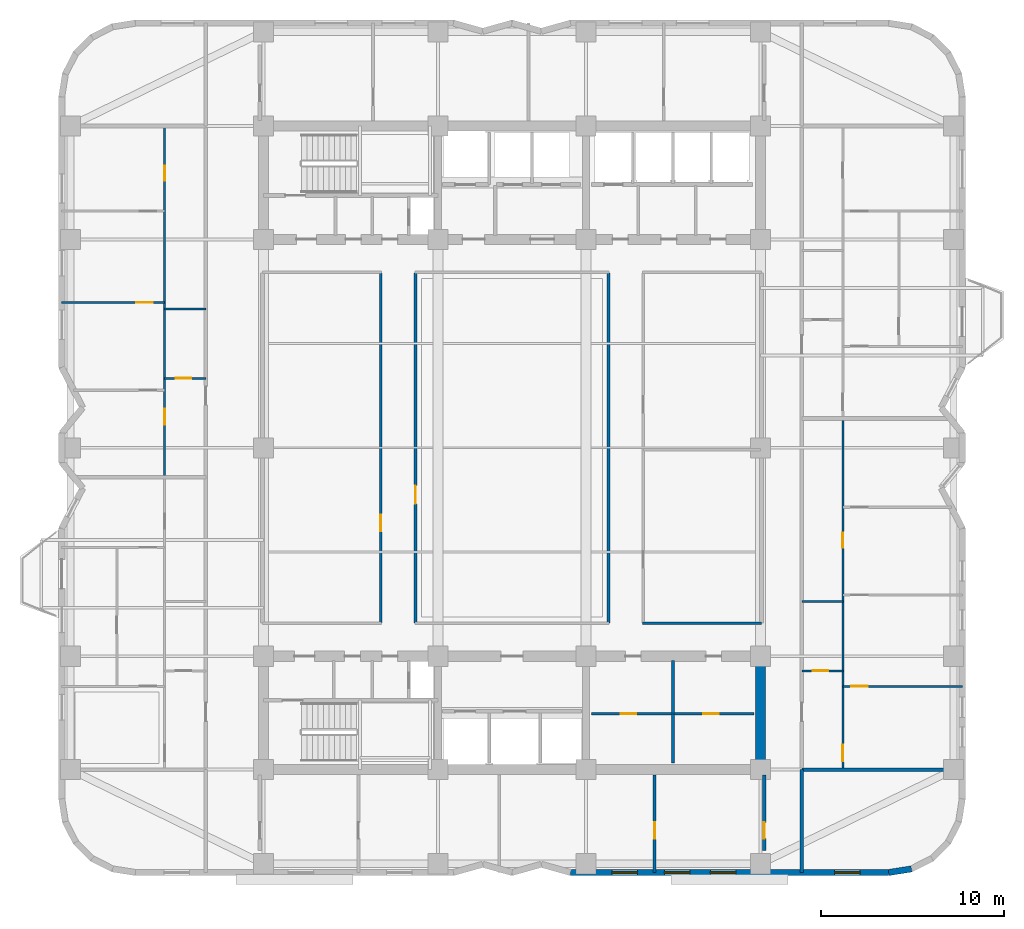
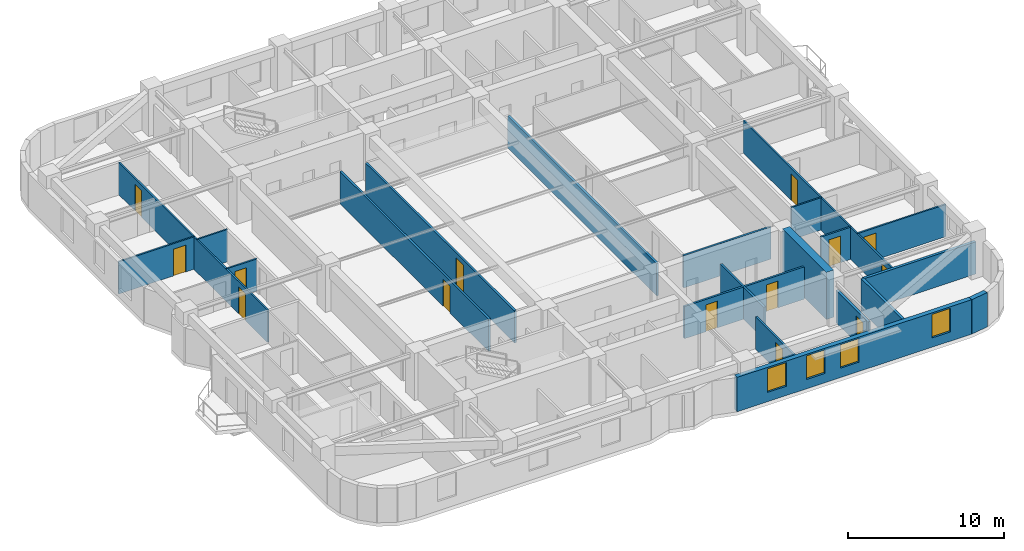
# One storey, part 4 of 10: 22 walls, 14 doors, 4 windows, 18 openings.
"""IFC4 building model written with IfcOpenShell, lengths in metres."""

from ifc_helpers import new_model, si_unit, direction, frame, frame_2d, origin, place, context, subcontext, project, spatial, rectangle, extrude, material, layer, layer_set, type_object, element, fill, save


model = new_model("IFC4")

# Units and contexts
model_context = context("Model", 3, precision=1e-05, world=origin(), true_north=direction((0.0, 1.0)))
body_context = subcontext(model_context, "Body", "Model", "MODEL_VIEW")
ifc_project = project(units=[si_unit("LENGTHUNIT", "METRE"), si_unit("AREAUNIT", "SQUARE_METRE"), si_unit("VOLUMEUNIT", "CUBIC_METRE"), si_unit("PLANEANGLEUNIT", "RADIAN"), si_unit("MASSUNIT", "GRAM", prefix="KILO")], contexts=[model_context])

# Site, building, storey
site_placement = place(None, origin())
site = spatial("IfcSite", under=ifc_project, at=site_placement, CompositionType="ELEMENT")
building_placement = place(site_placement, origin())
building = spatial("IfcBuilding", under=site, at=building_placement, Name="Svetorya Sky Lyceum", CompositionType="ELEMENT")
storey_placement = place(building_placement, frame((0.0, 0.0, 129.0)))
storey = spatial("IfcBuildingStorey", under=building, at=storey_placement, Name="L32", CompositionType="ELEMENT", Elevation=129.0)

# Wall
ifc_material_1 = material(Name="Concrete C60/75", Category="concrete")
ifc_layer_1 = layer(ifc_material_1, 0.550048828125)
ifc_layer_set_1 = layer_set([ifc_layer_1], Name="Concrete C60/75")
wall_type_1 = type_object("IfcWallType", Name="WL-CORE-550", PredefinedType="SHEAR", material=ifc_layer_set_1)
wall_1_placement = place(storey_placement, frame((52.800048828125, 10.875, 0.0), z_axis=(0.0, 0.0, 1.0), x_axis=(0.0, 1.0, 0.0)))
element("IfcWall", 1, at=wall_1_placement, inside=storey, type_object=wall_type_1, Name="L32 SC East Core Shear Wall", PredefinedType="SHEAR", context=body_context, shape_type="SweptSolid", body=[
    extrude(rectangle(XDim=5.64990234375, YDim=0.550048828125, at=frame_2d((2.824951171875, 0.0))), origin(), (0.0, 0.0, 1.0), 3.699951171875),
])

# Wall, openings, windows
ifc_material_2 = material(Name="Putilovo limestone rainscreen on autoclaved cellular masonry", Category="masonry")
ifc_layer_2 = layer(ifc_material_2, 0.340087890625)
ifc_layer_set_2 = layer_set([ifc_layer_2], Name="Putilovo limestone rainscreen on autoclaved cellular masonry")
wall_type_2 = type_object("IfcWallType", Name="WL-EXT-340", PredefinedType="SOLIDWALL", material=ifc_layer_set_2)
wall_2_placement = place(storey_placement, frame((42.39990234375, 4.969970703125, 0.0), z_axis=(0.0, 0.0, 1.0), x_axis=(1.0, 0.0, 0.0)))
wall_2 = element("IfcWall", 2, at=wall_2_placement, inside=storey, type_object=wall_type_2, Name="L32 Limestone Exterior Wall 11M", PredefinedType="SOLIDWALL", context=body_context, shape_type="SweptSolid", body=[
    extrude(rectangle(XDim=17.400146484375, YDim=0.340087890625, at=frame_2d((8.7001953125, 0.0))), origin(), (0.0, 0.0, 1.0), 2.699951171875),
])
opening_1_placement = place(wall_2_placement, frame((2.260009765625, 0.0, 0.72998046875)))
opening_1 = element("IfcOpeningElement", 3, at=opening_1_placement, cuts=wall_2, Name="Opening W-R2", PredefinedType="OPENING", context=body_context, shape_type="SweptSolid", body=[
    extrude(rectangle(XDim=1.39990234375, YDim=1.85009765625, at=frame_2d((0.699951171875, 0.925048828125))), frame((0.0, 0.179931640625, 0.0), z_axis=(0.0, -1.0, 0.0), x_axis=(1.0, 0.0, 0.0)), (0.0, 0.0, 1.0), 0.360107421875),
])
opening_2_placement = place(wall_2_placement, frame((5.1298828125, 0.0, 0.72998046875)))
opening_2 = element("IfcOpeningElement", 4, at=opening_2_placement, cuts=wall_2, Name="Opening W-R2", PredefinedType="OPENING", context=body_context, shape_type="SweptSolid", body=[
    extrude(rectangle(XDim=1.39990234375, YDim=1.85009765625, at=frame_2d((0.699951171875, 0.925048828125))), frame((0.0, 0.179931640625, 0.0), z_axis=(0.0, -1.0, 0.0), x_axis=(1.0, 0.0, 0.0)), (0.0, 0.0, 1.0), 0.360107421875),
])
opening_3_placement = place(wall_2_placement, frame((7.64990234375, 0.0, 0.72998046875)))
opening_3 = element("IfcOpeningElement", 5, at=opening_3_placement, cuts=wall_2, Name="Opening W-R2", PredefinedType="OPENING", context=body_context, shape_type="SweptSolid", body=[
    extrude(rectangle(XDim=1.39990234375, YDim=1.85009765625, at=frame_2d((0.699951171875, 0.925048828125))), frame((0.0, 0.179931640625, 0.0), z_axis=(0.0, -1.0, 0.0), x_axis=(1.0, 0.0, 0.0)), (0.0, 0.0, 1.0), 0.360107421875),
])
opening_4_placement = place(wall_2_placement, frame((14.43994140625, 0.0, 0.72998046875)))
opening_4 = element("IfcOpeningElement", 6, at=opening_4_placement, cuts=wall_2, Name="Opening W-R2", PredefinedType="OPENING", context=body_context, shape_type="SweptSolid", body=[
    extrude(rectangle(XDim=1.39990234375, YDim=1.85009765625, at=frame_2d((0.699951171875, 0.925048828125))), frame((0.0, 0.179931640625, 0.0), z_axis=(0.0, -1.0, 0.0), x_axis=(1.0, 0.0, 0.0)), (0.0, 0.0, 1.0), 0.360107421875),
])
ifc_material_3 = material(Name="Thermally broken aluminium frame with triple low-E glazing", Category="aluminium")
window_type = type_object("IfcWindowType", Name="WN-RES-140", PartitioningType="SINGLE_PANEL", PredefinedType="WINDOW", material=ifc_material_3)
window_1_placement = place(opening_1_placement, origin())
window_1 = element("IfcWindow", 7, at=window_1_placement, inside=storey, type_object=window_type, Name="L32 Facade Window W-R2.11M.1", OverallHeight=1.85009765625, OverallWidth=1.39990234375, PartitioningType="SINGLE_PANEL", PredefinedType="WINDOW", context=body_context, shape_type="SweptSolid", body=[
    extrude(rectangle(XDim=1.39990234375, YDim=1.85009765625, at=frame_2d((0.699951171875, 0.925048828125))), frame((0.0, 0.030029296875, 0.0), z_axis=(0.0, -1.0, 0.0), x_axis=(1.0, 0.0, 0.0)), (0.0, 0.0, 1.0), 0.06005859375),
])
fill(opening_1, window_1)
window_2_placement = place(opening_2_placement, origin())
window_2 = element("IfcWindow", 8, at=window_2_placement, inside=storey, type_object=window_type, Name="L32 Facade Window W-R2.11M.2", OverallHeight=1.85009765625, OverallWidth=1.39990234375, PartitioningType="SINGLE_PANEL", PredefinedType="WINDOW", context=body_context, shape_type="SweptSolid", body=[
    extrude(rectangle(XDim=1.39990234375, YDim=1.85009765625, at=frame_2d((0.699951171875, 0.925048828125))), frame((0.0, 0.030029296875, 0.0), z_axis=(0.0, -1.0, 0.0), x_axis=(1.0, 0.0, 0.0)), (0.0, 0.0, 1.0), 0.06005859375),
])
fill(opening_2, window_2)
window_3_placement = place(opening_3_placement, origin())
window_3 = element("IfcWindow", 9, at=window_3_placement, inside=storey, type_object=window_type, Name="L32 Facade Window W-R2.11M.3", OverallHeight=1.85009765625, OverallWidth=1.39990234375, PartitioningType="SINGLE_PANEL", PredefinedType="WINDOW", context=body_context, shape_type="SweptSolid", body=[
    extrude(rectangle(XDim=1.39990234375, YDim=1.85009765625, at=frame_2d((0.699951171875, 0.925048828125))), frame((0.0, 0.030029296875, 0.0), z_axis=(0.0, -1.0, 0.0), x_axis=(1.0, 0.0, 0.0)), (0.0, 0.0, 1.0), 0.06005859375),
])
fill(opening_3, window_3)
window_4_placement = place(opening_4_placement, origin())
window_4 = element("IfcWindow", 10, at=window_4_placement, inside=storey, type_object=window_type, Name="L32 Facade Window W-R2.11M.4", OverallHeight=1.85009765625, OverallWidth=1.39990234375, PartitioningType="SINGLE_PANEL", PredefinedType="WINDOW", context=body_context, shape_type="SweptSolid", body=[
    extrude(rectangle(XDim=1.39990234375, YDim=1.85009765625, at=frame_2d((0.699951171875, 0.925048828125))), frame((0.0, 0.030029296875, 0.0), z_axis=(0.0, -1.0, 0.0), x_axis=(1.0, 0.0, 0.0)), (0.0, 0.0, 1.0), 0.06005859375),
])
fill(opening_4, window_4)

# Wall
wall_3_placement = place(storey_placement, frame((59.800048828125, 4.969970703125, 0.0), z_axis=(0.0, 0.0, 1.0), x_axis=(0.987685918112, 0.15644975923, 0.0)))
element("IfcWall", 11, at=wall_3_placement, inside=storey, type_object=wall_type_2, Name="L32 Limestone Exterior Wall 12M", PredefinedType="SOLIDWALL", context=body_context, shape_type="SweptSolid", body=[
    extrude(rectangle(XDim=1.260986328125, YDim=0.340087890625, at=frame_2d((0.63037109375, 0.0))), origin(), (0.0, 0.0, 1.0), 2.699951171875),
])

# Wall, opening, door
ifc_material_4 = material(Name="Twin-stud galvanized framing with double fireboard", Category="gypsum")
ifc_layer_3 = layer(ifc_material_4, 0.1201171875)
ifc_layer_set_3 = layer_set([ifc_layer_3], Name="Twin-stud galvanized framing with double fireboard")
wall_type_3 = type_object("IfcWallType", Name="WL-PART-120", PredefinedType="PARTITIONING", material=ifc_layer_set_3)
wall_4_placement = place(storey_placement, frame((20.199951171875, 32.0, 0.0), z_axis=(0.0, 0.0, 1.0), x_axis=(1.0, 0.0, 0.0)))
wall_4 = element("IfcWall", 12, at=wall_4_placement, inside=storey, type_object=wall_type_3, Name="L32 Interior Partition W2-WH1", PredefinedType="PARTITIONING", context=body_context, shape_type="SweptSolid", body=[
    extrude(rectangle(XDim=2.25, YDim=0.1201171875, at=frame_2d((1.125, 0.0))), origin(), (0.0, 0.0, 1.0), 2.530029296875),
])
opening_5_placement = place(wall_4_placement, frame((0.60009765625, 0.0, 0.0)))
opening_5 = element("IfcOpeningElement", 13, at=opening_5_placement, cuts=wall_4, Name="Opening D-BT1", PredefinedType="OPENING", context=body_context, shape_type="SweptSolid", body=[
    extrude(rectangle(XDim=0.85009765625, YDim=2.10009765625, at=frame_2d((0.425048828125, 1.050048828125))), frame((0.0, 0.070068359375, 0.0), z_axis=(0.0, -1.0, 0.0), x_axis=(1.0, 0.0, 0.0)), (0.0, 0.0, 1.0), 0.14013671875),
])
ifc_material_5 = material(Name="Moisture-resistant laminate bathroom door")
door_type_1 = type_object("IfcDoorType", Name="DR-WET-850", OperationType="SINGLE_SWING_LEFT", PredefinedType="DOOR", material=ifc_material_5)
door_1_placement = place(opening_5_placement, origin())
door_1 = element("IfcDoor", 14, at=door_1_placement, inside=storey, type_object=door_type_1, Name="Apartment W2 Bathroom Door", OperationType="SINGLE_SWING_RIGHT", OverallHeight=2.10009765625, OverallWidth=0.85009765625, PredefinedType="DOOR", context=body_context, shape_type="SweptSolid", body=[
    extrude(rectangle(XDim=0.85009765625, YDim=2.10009765625, at=frame_2d((0.425048828125, 1.050048828125))), frame((0.0, 0.02490234375, 0.0), z_axis=(0.0, -1.0, 0.0), x_axis=(1.0, 0.0, 0.0)), (0.0, 0.0, 1.0), 0.050048828125),
])
fill(opening_5, door_1)

# Wall
wall_5_placement = place(storey_placement, frame((20.199951171875, 35.800048828125, 0.0), z_axis=(0.0, 0.0, 1.0), x_axis=(1.0, 0.0, 0.0)))
element("IfcWall", 15, at=wall_5_placement, inside=storey, type_object=wall_type_3, Name="L32 Interior Partition W2-WH2", PredefinedType="PARTITIONING", context=body_context, shape_type="SweptSolid", body=[
    extrude(rectangle(XDim=2.25, YDim=0.1201171875, at=frame_2d((1.125, 0.0))), origin(), (0.0, 0.0, 1.0), 2.530029296875),
])

# Wall, opening, door
wall_6_placement = place(storey_placement, frame((14.570068359375, 36.14990234375, 0.0), z_axis=(0.0, 0.0, 1.0), x_axis=(1.0, 0.0, 0.0)))
wall_6 = element("IfcWall", 16, at=wall_6_placement, inside=storey, type_object=wall_type_3, Name="L32 Interior Partition W2-WL2", PredefinedType="PARTITIONING", context=body_context, shape_type="SweptSolid", body=[
    extrude(rectangle(XDim=5.6298828125, YDim=0.1201171875, at=frame_2d((2.81494140625, 0.0))), origin(), (0.0, 0.0, 1.0), 2.530029296875),
])
opening_6_placement = place(wall_6_placement, frame((4.080078125, 0.0, 0.0)))
opening_6 = element("IfcOpeningElement", 17, at=opening_6_placement, cuts=wall_6, Name="Opening D-RM1", PredefinedType="OPENING", context=body_context, shape_type="SweptSolid", body=[
    extrude(rectangle(XDim=0.89990234375, YDim=2.10009765625, at=frame_2d((0.449951171875, 1.050048828125))), frame((0.0, 0.070068359375, 0.0), z_axis=(0.0, -1.0, 0.0), x_axis=(1.0, 0.0, 0.0)), (0.0, 0.0, 1.0), 0.14013671875),
])
ifc_material_6 = material(Name="Lacquered birch veneer internal door")
door_type_2 = type_object("IfcDoorType", Name="DR-INT-900", OperationType="SINGLE_SWING_LEFT", PredefinedType="DOOR", material=ifc_material_6)
door_2_placement = place(opening_6_placement, origin())
door_2 = element("IfcDoor", 18, at=door_2_placement, inside=storey, type_object=door_type_2, Name="Apartment W2 Bedroom 2 Door", OperationType="SINGLE_SWING_LEFT", OverallHeight=2.10009765625, OverallWidth=0.89990234375, PredefinedType="DOOR", context=body_context, shape_type="SweptSolid", body=[
    extrude(rectangle(XDim=0.89990234375, YDim=2.10009765625, at=frame_2d((0.449951171875, 1.050048828125))), frame((0.0, 0.02490234375, 0.0), z_axis=(0.0, -1.0, 0.0), x_axis=(1.0, 0.0, 0.0)), (0.0, 0.0, 1.0), 0.050048828125),
])
fill(opening_6, door_2)

# Wall, openings, doors
wall_7_placement = place(storey_placement, frame((20.199951171875, 26.639892578125, 0.0), z_axis=(0.0, 0.0, 1.0), x_axis=(0.0, 1.0, 0.0)))
wall_7 = element("IfcWall", 19, at=wall_7_placement, inside=storey, type_object=wall_type_3, Name="L32 Interior Partition W2-WV", PredefinedType="PARTITIONING", context=body_context, shape_type="SweptSolid", body=[
    extrude(rectangle(XDim=19.1201171875, YDim=0.1201171875, at=frame_2d((9.56005859375, 0.0))), origin(), (0.0, 0.0, 1.0), 2.530029296875),
])
opening_7_placement = place(wall_7_placement, frame((2.81005859375, 0.0, 0.0)))
opening_7 = element("IfcOpeningElement", 20, at=opening_7_placement, cuts=wall_7, Name="Opening D-RM1", PredefinedType="OPENING", context=body_context, shape_type="SweptSolid", body=[
    extrude(rectangle(XDim=0.89990234375, YDim=2.10009765625, at=frame_2d((0.449951171875, 1.050048828125))), frame((0.0, 0.070068359375, 0.0), z_axis=(0.0, -1.0, 0.0), x_axis=(1.0, 0.0, 0.0)), (0.0, 0.0, 1.0), 0.14013671875),
])
opening_8_placement = place(wall_7_placement, frame((16.179931640625, 0.0, 0.0)))
opening_8 = element("IfcOpeningElement", 21, at=opening_8_placement, cuts=wall_7, Name="Opening D-BT2", PredefinedType="OPENING", context=body_context, shape_type="SweptSolid", body=[
    extrude(rectangle(XDim=0.820068359375, YDim=2.080078125, at=frame_2d((0.41015625, 1.0400390625))), frame((0.0, 0.070068359375, 0.0), z_axis=(0.0, -1.0, 0.0), x_axis=(1.0, 0.0, 0.0)), (0.0, 0.0, 1.0), 0.14013671875),
])
door_3_placement = place(opening_7_placement, origin())
door_3 = element("IfcDoor", 22, at=door_3_placement, inside=storey, type_object=door_type_2, Name="Apartment W2 Living Door", OperationType="SINGLE_SWING_LEFT", OverallHeight=2.10009765625, OverallWidth=0.89990234375, PredefinedType="DOOR", context=body_context, shape_type="SweptSolid", body=[
    extrude(rectangle(XDim=0.89990234375, YDim=2.10009765625, at=frame_2d((0.449951171875, 1.050048828125))), frame((0.0, 0.02490234375, 0.0), z_axis=(0.0, -1.0, 0.0), x_axis=(1.0, 0.0, 0.0)), (0.0, 0.0, 1.0), 0.050048828125),
])
fill(opening_7, door_3)
ifc_material_7 = material(Name="Compact moisture-resistant laminate closet door")
door_type_3 = type_object("IfcDoorType", Name="DR-WET-820", OperationType="SINGLE_SWING_LEFT", PredefinedType="DOOR", material=ifc_material_7)
door_4_placement = place(opening_8_placement, origin())
door_4 = element("IfcDoor", 23, at=door_4_placement, inside=storey, type_object=door_type_3, Name="Apartment W2 Study Door", OperationType="SINGLE_SWING_RIGHT", OverallHeight=2.080078125, OverallWidth=0.820068359375, PredefinedType="DOOR", context=body_context, shape_type="SweptSolid", body=[
    extrude(rectangle(XDim=0.820068359375, YDim=2.080078125, at=frame_2d((0.41015625, 1.0400390625))), frame((0.0, 0.02490234375, 0.0), z_axis=(0.0, -1.0, 0.0), x_axis=(1.0, 0.0, 0.0)), (0.0, 0.0, 1.0), 0.050048828125),
])
fill(opening_8, door_4)

# Wall, opening, door
wall_8_placement = place(storey_placement, frame((55.050048828125, 16.0, 0.0), z_axis=(0.0, 0.0, 1.0), x_axis=(1.0, 0.0, 0.0)))
wall_8 = element("IfcWall", 24, at=wall_8_placement, inside=storey, type_object=wall_type_3, Name="L32 Interior Partition E1-WH1", PredefinedType="PARTITIONING", context=body_context, shape_type="SweptSolid", body=[
    extrude(rectangle(XDim=2.25, YDim=0.1201171875, at=frame_2d((1.125, 0.0))), origin(), (0.0, 0.0, 1.0), 2.530029296875),
])
opening_9_placement = place(wall_8_placement, frame((0.60009765625, 0.0, 0.0)))
opening_9 = element("IfcOpeningElement", 25, at=opening_9_placement, cuts=wall_8, Name="Opening D-BT1", PredefinedType="OPENING", context=body_context, shape_type="SweptSolid", body=[
    extrude(rectangle(XDim=0.85009765625, YDim=2.10009765625, at=frame_2d((0.425048828125, 1.050048828125))), frame((0.0, 0.070068359375, 0.0), z_axis=(0.0, -1.0, 0.0), x_axis=(1.0, 0.0, 0.0)), (0.0, 0.0, 1.0), 0.14013671875),
])
door_5_placement = place(opening_9_placement, origin())
door_5 = element("IfcDoor", 26, at=door_5_placement, inside=storey, type_object=door_type_1, Name="Apartment E1 Bathroom Door", OperationType="SINGLE_SWING_RIGHT", OverallHeight=2.10009765625, OverallWidth=0.85009765625, PredefinedType="DOOR", context=body_context, shape_type="SweptSolid", body=[
    extrude(rectangle(XDim=0.85009765625, YDim=2.10009765625, at=frame_2d((0.425048828125, 1.050048828125))), frame((0.0, 0.02490234375, 0.0), z_axis=(0.0, -1.0, 0.0), x_axis=(1.0, 0.0, 0.0)), (0.0, 0.0, 1.0), 0.050048828125),
])
fill(opening_9, door_5)

# Wall
wall_9_placement = place(storey_placement, frame((55.050048828125, 19.800048828125, 0.0), z_axis=(0.0, 0.0, 1.0), x_axis=(1.0, 0.0, 0.0)))
element("IfcWall", 27, at=wall_9_placement, inside=storey, type_object=wall_type_3, Name="L32 Interior Partition E1-WH2", PredefinedType="PARTITIONING", context=body_context, shape_type="SweptSolid", body=[
    extrude(rectangle(XDim=2.25, YDim=0.1201171875, at=frame_2d((1.125, 0.0))), origin(), (0.0, 0.0, 1.0), 2.530029296875),
])

# Wall, opening, door
wall_10_placement = place(storey_placement, frame((57.300048828125, 15.14990234375, 0.0), z_axis=(0.0, 0.0, 1.0), x_axis=(1.0, 0.0, 0.0)))
wall_10 = element("IfcWall", 28, at=wall_10_placement, inside=storey, type_object=wall_type_3, Name="L32 Interior Partition E1-WL1", PredefinedType="PARTITIONING", context=body_context, shape_type="SweptSolid", body=[
    extrude(rectangle(XDim=6.530029296875, YDim=0.1201171875, at=frame_2d((3.26513671875, 0.0))), origin(), (0.0, 0.0, 1.0), 2.530029296875),
])
opening_10_placement = place(wall_10_placement, frame((0.449951171875, 0.0, 0.0)))
opening_10 = element("IfcOpeningElement", 29, at=opening_10_placement, cuts=wall_10, Name="Opening D-RM1", PredefinedType="OPENING", context=body_context, shape_type="SweptSolid", body=[
    extrude(rectangle(XDim=0.89990234375, YDim=2.10009765625, at=frame_2d((0.449951171875, 1.050048828125))), frame((0.0, 0.070068359375, 0.0), z_axis=(0.0, -1.0, 0.0), x_axis=(1.0, 0.0, 0.0)), (0.0, 0.0, 1.0), 0.14013671875),
])
door_6_placement = place(opening_10_placement, origin())
door_6 = element("IfcDoor", 30, at=door_6_placement, inside=storey, type_object=door_type_2, Name="Apartment E1 Master Bedroom Door", OperationType="SINGLE_SWING_RIGHT", OverallHeight=2.10009765625, OverallWidth=0.89990234375, PredefinedType="DOOR", context=body_context, shape_type="SweptSolid", body=[
    extrude(rectangle(XDim=0.89990234375, YDim=2.10009765625, at=frame_2d((0.449951171875, 1.050048828125))), frame((0.0, 0.02490234375, 0.0), z_axis=(0.0, -1.0, 0.0), x_axis=(1.0, 0.0, 0.0)), (0.0, 0.0, 1.0), 0.050048828125),
])
fill(opening_10, door_6)

# Wall, openings, doors
wall_11_placement = place(storey_placement, frame((57.300048828125, 10.639892578125, 0.0), z_axis=(0.0, 0.0, 1.0), x_axis=(0.0, 1.0, 0.0)))
wall_11 = element("IfcWall", 31, at=wall_11_placement, inside=storey, type_object=wall_type_3, Name="L32 Interior Partition E1-WV", PredefinedType="PARTITIONING", context=body_context, shape_type="SweptSolid", body=[
    extrude(rectangle(XDim=19.1201171875, YDim=0.1201171875, at=frame_2d((9.56005859375, 0.0))), origin(), (0.0, 0.0, 1.0), 2.530029296875),
])
opening_11_placement = place(wall_11_placement, frame((0.409912109375, 0.0, 0.0)))
opening_11 = element("IfcOpeningElement", 32, at=opening_11_placement, cuts=wall_11, Name="Opening D-RM1", PredefinedType="OPENING", context=body_context, shape_type="SweptSolid", body=[
    extrude(rectangle(XDim=0.89990234375, YDim=2.10009765625, at=frame_2d((0.449951171875, 1.050048828125))), frame((0.0, 0.070068359375, 0.0), z_axis=(0.0, -1.0, 0.0), x_axis=(1.0, 0.0, 0.0)), (0.0, 0.0, 1.0), 0.14013671875),
])
opening_12_placement = place(wall_11_placement, frame((12.10498046875, 0.0, 0.0)))
opening_12 = element("IfcOpeningElement", 33, at=opening_12_placement, cuts=wall_11, Name="Opening D-BT2", PredefinedType="OPENING", context=body_context, shape_type="SweptSolid", body=[
    extrude(rectangle(XDim=0.820068359375, YDim=2.080078125, at=frame_2d((0.41015625, 1.0400390625))), frame((0.0, 0.070068359375, 0.0), z_axis=(0.0, -1.0, 0.0), x_axis=(1.0, 0.0, 0.0)), (0.0, 0.0, 1.0), 0.14013671875),
])
door_7_placement = place(opening_11_placement, origin())
door_7 = element("IfcDoor", 34, at=door_7_placement, inside=storey, type_object=door_type_2, Name="Apartment E1 Living Door", OperationType="SINGLE_SWING_LEFT", OverallHeight=2.10009765625, OverallWidth=0.89990234375, PredefinedType="DOOR", context=body_context, shape_type="SweptSolid", body=[
    extrude(rectangle(XDim=0.89990234375, YDim=2.10009765625, at=frame_2d((0.449951171875, 1.050048828125))), frame((0.0, 0.02490234375, 0.0), z_axis=(0.0, -1.0, 0.0), x_axis=(1.0, 0.0, 0.0)), (0.0, 0.0, 1.0), 0.050048828125),
])
fill(opening_11, door_7)
door_8_placement = place(opening_12_placement, origin())
door_8 = element("IfcDoor", 35, at=door_8_placement, inside=storey, type_object=door_type_3, Name="Apartment E1 Study Door", OperationType="SINGLE_SWING_RIGHT", OverallHeight=2.080078125, OverallWidth=0.820068359375, PredefinedType="DOOR", context=body_context, shape_type="SweptSolid", body=[
    extrude(rectangle(XDim=0.820068359375, YDim=2.080078125, at=frame_2d((0.41015625, 1.0400390625))), frame((0.0, 0.02490234375, 0.0), z_axis=(0.0, -1.0, 0.0), x_axis=(1.0, 0.0, 0.0)), (0.0, 0.0, 1.0), 0.050048828125),
])
fill(opening_12, door_8)

# Wall
ifc_material_8 = material(Name="Autoclaved cellular masonry blockwork with acoustic render", Category="masonry")
ifc_layer_4 = layer(ifc_material_8, 0.14990234375)
ifc_layer_set_4 = layer_set([ifc_layer_4], Name="Autoclaved cellular masonry blockwork with acoustic render")
wall_type_4 = type_object("IfcWallType", Name="WL-PART-150", PredefinedType="PARTITIONING", material=ifc_layer_set_4)
wall_12_placement = place(storey_placement, frame((48.0, 10.949951171875, 0.0), z_axis=(0.0, 0.0, 1.0), x_axis=(0.0, 1.0, 0.0)))
element("IfcWall", 36, at=wall_12_placement, inside=storey, type_object=wall_type_4, Name="L32 Interior Partition SC-LV7-V", PredefinedType="PARTITIONING", context=body_context, shape_type="SweptSolid", body=[
    extrude(rectangle(XDim=5.630126953125, YDim=0.14990234375, at=frame_2d((2.81494140625, 0.0))), origin(), (0.0, 0.0, 1.0), 2.530029296875),
])

# Wall, opening, door
wall_13_placement = place(storey_placement, frame((43.550048828125, 13.64990234375, 0.0), z_axis=(0.0, 0.0, 1.0), x_axis=(1.0, 0.0, 0.0)))
wall_13 = element("IfcWall", 37, at=wall_13_placement, inside=storey, type_object=wall_type_4, Name="L32 Interior Partition SC-LV7-HW", PredefinedType="PARTITIONING", context=body_context, shape_type="SweptSolid", body=[
    extrude(rectangle(XDim=4.39990234375, YDim=0.14990234375, at=frame_2d((2.199951171875, 0.0))), origin(), (0.0, 0.0, 1.0), 2.530029296875),
])
opening_13_placement = place(wall_13_placement, frame((1.60009765625, 0.0, 0.0)))
opening_13 = element("IfcOpeningElement", 38, at=opening_13_placement, cuts=wall_13, Name="Opening D-CWC1", PredefinedType="OPENING", context=body_context, shape_type="SweptSolid", body=[
    extrude(rectangle(XDim=0.85009765625, YDim=2.10009765625, at=frame_2d((0.425048828125, 1.050048828125))), frame((0.0, 0.0849609375, 0.0), z_axis=(0.0, -1.0, 0.0), x_axis=(1.0, 0.0, 0.0)), (0.0, 0.0, 1.0), 0.169921875),
])
ifc_material_9 = material(Name="Fire-rated galvanized steel core service closet door", Category="steel")
door_type_4 = type_object("IfcDoorType", Name="DR-CWET-850", OperationType="SINGLE_SWING_LEFT", PredefinedType="DOOR", material=ifc_material_9)
door_9_placement = place(opening_13_placement, origin())
door_9 = element("IfcDoor", 39, at=door_9_placement, inside=storey, type_object=door_type_4, Name="L32 South Electrical Room Door", OperationType="SINGLE_SWING_LEFT", OverallHeight=2.10009765625, OverallWidth=0.85009765625, PredefinedType="DOOR", context=body_context, shape_type="SweptSolid", body=[
    extrude(rectangle(XDim=0.85009765625, YDim=2.10009765625, at=frame_2d((0.425048828125, 1.050048828125))), frame((0.0, 0.02490234375, 0.0), z_axis=(0.0, -1.0, 0.0), x_axis=(1.0, 0.0, 0.0)), (0.0, 0.0, 1.0), 0.050048828125),
])
fill(opening_13, door_9)

wall_14_placement = place(storey_placement, frame((48.050048828125, 13.64990234375, 0.0), z_axis=(0.0, 0.0, 1.0), x_axis=(1.0, 0.0, 0.0)))
wall_14 = element("IfcWall", 40, at=wall_14_placement, inside=storey, type_object=wall_type_4, Name="L32 Interior Partition SC-LV7-HE", PredefinedType="PARTITIONING", context=body_context, shape_type="SweptSolid", body=[
    extrude(rectangle(XDim=4.39990234375, YDim=0.14990234375, at=frame_2d((2.199951171875, 0.0))), origin(), (0.0, 0.0, 1.0), 2.530029296875),
])
opening_14_placement = place(wall_14_placement, frame((1.60009765625, 0.0, 0.0)))
opening_14 = element("IfcOpeningElement", 41, at=opening_14_placement, cuts=wall_14, Name="Opening D-CWC1", PredefinedType="OPENING", context=body_context, shape_type="SweptSolid", body=[
    extrude(rectangle(XDim=0.85009765625, YDim=2.10009765625, at=frame_2d((0.425048828125, 1.050048828125))), frame((0.0, 0.0849609375, 0.0), z_axis=(0.0, -1.0, 0.0), x_axis=(1.0, 0.0, 0.0)), (0.0, 0.0, 1.0), 0.169921875),
])
door_10_placement = place(opening_14_placement, origin())
door_10 = element("IfcDoor", 42, at=door_10_placement, inside=storey, type_object=door_type_4, Name="L32 South Server Closet Door", OperationType="SINGLE_SWING_RIGHT", OverallHeight=2.10009765625, OverallWidth=0.85009765625, PredefinedType="DOOR", context=body_context, shape_type="SweptSolid", body=[
    extrude(rectangle(XDim=0.85009765625, YDim=2.10009765625, at=frame_2d((0.425048828125, 1.050048828125))), frame((0.0, 0.02490234375, 0.0), z_axis=(0.0, -1.0, 0.0), x_axis=(1.0, 0.0, 0.0)), (0.0, 0.0, 1.0), 0.050048828125),
])
fill(opening_14, door_10)

# Wall
wall_15_placement = place(storey_placement, frame((46.35009765625, 18.60009765625, 0.0), z_axis=(0.0, 0.0, 1.0), x_axis=(1.0, 0.0, 0.0)))
element("IfcWall", 43, at=wall_15_placement, inside=storey, type_object=wall_type_4, Name="L32 Interior Partition RL-CS-E", PredefinedType="PARTITIONING", context=body_context, shape_type="SweptSolid", body=[
    extrude(rectangle(XDim=6.5, YDim=0.14990234375, at=frame_2d((3.25, 0.0))), origin(), (0.0, 0.0, 1.0), 2.530029296875),
])

# Wall, opening, door
wall_16_placement = place(storey_placement, frame((32.02001953125, 18.6298828125, 0.0), z_axis=(0.0, 0.0, 1.0), x_axis=(0.0, 1.0, 0.0)))
wall_16 = element("IfcWall", 44, at=wall_16_placement, inside=storey, type_object=wall_type_4, Name="L32 Interior Partition ISL-WW", PredefinedType="PARTITIONING", context=body_context, shape_type="SweptSolid", body=[
    extrude(rectangle(XDim=19.14013671875, YDim=0.14990234375, at=frame_2d((9.570068359375, 0.0))), origin(), (0.0, 0.0, 1.0), 2.530029296875),
])
opening_15_placement = place(wall_16_placement, frame((5.0, 0.0, 0.0)))
opening_15 = element("IfcOpeningElement", 45, at=opening_15_placement, cuts=wall_16, Name="Opening D-RM1", PredefinedType="OPENING", context=body_context, shape_type="SweptSolid", body=[
    extrude(rectangle(XDim=0.89990234375, YDim=2.10009765625, at=frame_2d((0.449951171875, 1.050048828125))), frame((0.0, 0.0849609375, 0.0), z_axis=(0.0, -1.0, 0.0), x_axis=(1.0, 0.0, 0.0)), (0.0, 0.0, 1.0), 0.169921875),
])
door_11_placement = place(opening_15_placement, origin())
door_11 = element("IfcDoor", 46, at=door_11_placement, inside=storey, type_object=door_type_2, Name="L32 Atelier Door", OperationType="SINGLE_SWING_RIGHT", OverallHeight=2.10009765625, OverallWidth=0.89990234375, PredefinedType="DOOR", context=body_context, shape_type="SweptSolid", body=[
    extrude(rectangle(XDim=0.89990234375, YDim=2.10009765625, at=frame_2d((0.449951171875, 1.050048828125))), frame((0.0, 0.02490234375, 0.0), z_axis=(0.0, -1.0, 0.0), x_axis=(1.0, 0.0, 0.0)), (0.0, 0.0, 1.0), 0.050048828125),
])
fill(opening_15, door_11)

wall_17_placement = place(storey_placement, frame((33.919921875, 18.6298828125, 0.0), z_axis=(0.0, 0.0, 1.0), x_axis=(0.0, 1.0, 0.0)))
wall_17 = element("IfcWall", 47, at=wall_17_placement, inside=storey, type_object=wall_type_4, Name="L32 Interior Partition ISL-WE", PredefinedType="PARTITIONING", context=body_context, shape_type="SweptSolid", body=[
    extrude(rectangle(XDim=19.14013671875, YDim=0.14990234375, at=frame_2d((9.570068359375, 0.0))), origin(), (0.0, 0.0, 1.0), 2.530029296875),
])
opening_16_placement = place(wall_17_placement, frame((6.5, 0.0, 0.0)))
opening_16 = element("IfcOpeningElement", 48, at=opening_16_placement, cuts=wall_17, Name="Opening D-RM2", PredefinedType="OPENING", context=body_context, shape_type="SweptSolid", body=[
    extrude(rectangle(XDim=1.0, YDim=2.14990234375, at=frame_2d((0.5, 1.074951171875))), frame((0.0, 0.0849609375, 0.0), z_axis=(0.0, -1.0, 0.0), x_axis=(1.0, 0.0, 0.0)), (0.0, 0.0, 1.0), 0.169921875),
])
ifc_material_10 = material(Name="Solid-core oak acoustic room door")
door_type_5 = type_object("IfcDoorType", Name="DR-INT-1000", OperationType="SINGLE_SWING_LEFT", PredefinedType="DOOR", material=ifc_material_10)
door_12_placement = place(opening_16_placement, origin())
door_12 = element("IfcDoor", 49, at=door_12_placement, inside=storey, type_object=door_type_5, Name="L32 Wellness Door", OperationType="SINGLE_SWING_LEFT", OverallHeight=2.14990234375, OverallWidth=1.0, PredefinedType="DOOR", context=body_context, shape_type="SweptSolid", body=[
    extrude(rectangle(XDim=1.0, YDim=2.14990234375, at=frame_2d((0.5, 1.074951171875))), frame((0.0, 0.02490234375, 0.0), z_axis=(0.0, -1.0, 0.0), x_axis=(1.0, 0.0, 0.0)), (0.0, 0.0, 1.0), 0.050048828125),
])
fill(opening_16, door_12)

# Wall
wall_18_placement = place(storey_placement, frame((44.47998046875, 18.6298828125, 0.0), z_axis=(0.0, 0.0, 1.0), x_axis=(0.0, 1.0, 0.0)))
element("IfcWall", 50, at=wall_18_placement, inside=storey, type_object=wall_type_4, Name="L32 Interior Partition ISL-EW", PredefinedType="PARTITIONING", context=body_context, shape_type="SweptSolid", body=[
    extrude(rectangle(XDim=19.14013671875, YDim=0.14990234375, at=frame_2d((9.570068359375, 0.0))), origin(), (0.0, 0.0, 1.0), 2.530029296875),
])

# Wall, opening, door
wall_19_placement = place(storey_placement, frame((47.0, 4.969970703125, 0.0), z_axis=(0.0, 0.0, 1.0), x_axis=(0.0, 1.0, 0.0)))
wall_19 = element("IfcWall", 51, at=wall_19_placement, inside=storey, type_object=wall_type_4, Name="L32 Interior Partition S4-D3", PredefinedType="PARTITIONING", context=body_context, shape_type="SweptSolid", body=[
    extrude(rectangle(XDim=5.330078125, YDim=0.14990234375, at=frame_2d((2.6650390625, 0.0))), origin(), (0.0, 0.0, 1.0), 2.530029296875),
])
opening_17_placement = place(wall_19_placement, frame((1.85009765625, 0.0, 0.0)))
opening_17 = element("IfcOpeningElement", 52, at=opening_17_placement, cuts=wall_19, Name="Opening D-RM1", PredefinedType="OPENING", context=body_context, shape_type="SweptSolid", body=[
    extrude(rectangle(XDim=0.89990234375, YDim=2.10009765625, at=frame_2d((0.449951171875, 1.050048828125))), frame((0.0, 0.0849609375, 0.0), z_axis=(0.0, -1.0, 0.0), x_axis=(1.0, 0.0, 0.0)), (0.0, 0.0, 1.0), 0.169921875),
])
door_13_placement = place(opening_17_placement, origin())
door_13 = element("IfcDoor", 53, at=door_13_placement, inside=storey, type_object=door_type_2, Name="L32 South Suite Door 3", OperationType="SINGLE_SWING_LEFT", OverallHeight=2.10009765625, OverallWidth=0.89990234375, PredefinedType="DOOR", context=body_context, shape_type="SweptSolid", body=[
    extrude(rectangle(XDim=0.89990234375, YDim=2.10009765625, at=frame_2d((0.449951171875, 1.050048828125))), frame((0.0, 0.02490234375, 0.0), z_axis=(0.0, -1.0, 0.0), x_axis=(1.0, 0.0, 0.0)), (0.0, 0.0, 1.0), 0.050048828125),
])
fill(opening_17, door_13)

# Walls
ifc_material_11 = material(Name="Autoclaved cellular masonry blockwork with gypsum plaster", Category="masonry")
ifc_layer_5 = layer(ifc_material_11, 0.199951171875)
ifc_layer_set_5 = layer_set([ifc_layer_5], Name="Autoclaved cellular masonry blockwork with gypsum plaster")
wall_type_5 = type_object("IfcWallType", Name="WL-PART-200", PredefinedType="PARTITIONING", material=ifc_layer_set_5)
wall_20_placement = place(storey_placement, frame((55.050048828125, 10.60009765625, 0.0), z_axis=(0.0, 0.0, 1.0), x_axis=(1.0, 0.0, 0.0)))
element("IfcWall", 54, at=wall_20_placement, inside=storey, type_object=wall_type_5, Name="L32 Interior Partition E-CAP-S", PredefinedType="PARTITIONING", context=body_context, shape_type="SweptSolid", body=[
    extrude(rectangle(XDim=8.35986328125, YDim=0.199951171875, at=frame_2d((4.179931640625, 0.0))), origin(), (0.0, 0.0, 1.0), 2.530029296875),
])
wall_21_placement = place(storey_placement, frame((55.050048828125, 4.969970703125, 0.0), z_axis=(0.0, 0.0, 1.0), x_axis=(0.0, 1.0, 0.0)))
element("IfcWall", 55, at=wall_21_placement, inside=storey, type_object=wall_type_5, Name="L32 Interior Partition EC-SE-END", PredefinedType="PARTITIONING", context=body_context, shape_type="SweptSolid", body=[
    extrude(rectangle(XDim=5.630126953125, YDim=0.199951171875, at=frame_2d((2.81494140625, 0.0))), origin(), (0.0, 0.0, 1.0), 2.530029296875),
])

# Wall, opening, door
wall_22_placement = place(storey_placement, frame((53.0, 6.169921875, 0.0), z_axis=(0.0, 0.0, 1.0), x_axis=(0.0, 1.0, 0.0)))
wall_22 = element("IfcWall", 56, at=wall_22_placement, inside=storey, type_object=wall_type_5, Name="L32 Interior Partition S4-EE", PredefinedType="PARTITIONING", context=body_context, shape_type="SweptSolid", body=[
    extrude(rectangle(XDim=4.130126953125, YDim=0.199951171875, at=frame_2d((2.06494140625, 0.0))), origin(), (0.0, 0.0, 1.0), 2.530029296875),
])
opening_18_placement = place(wall_22_placement, frame((0.64990234375, 0.0, 0.0)))
opening_18 = element("IfcOpeningElement", 57, at=opening_18_placement, cuts=wall_22, Name="Opening D-RM1", PredefinedType="OPENING", context=body_context, shape_type="SweptSolid", body=[
    extrude(rectangle(XDim=0.89990234375, YDim=2.10009765625, at=frame_2d((0.449951171875, 1.050048828125))), frame((0.0, 0.10986328125, 0.0), z_axis=(0.0, -1.0, 0.0), x_axis=(1.0, 0.0, 0.0)), (0.0, 0.0, 1.0), 0.219970703125),
])
door_14_placement = place(opening_18_placement, origin())
door_14 = element("IfcDoor", 58, at=door_14_placement, inside=storey, type_object=door_type_2, Name="L32 SE Meeting Door", OperationType="SINGLE_SWING_RIGHT", OverallHeight=2.10009765625, OverallWidth=0.89990234375, PredefinedType="DOOR", context=body_context, shape_type="SweptSolid", body=[
    extrude(rectangle(XDim=0.89990234375, YDim=2.10009765625, at=frame_2d((0.449951171875, 1.050048828125))), frame((0.0, 0.02490234375, 0.0), z_axis=(0.0, -1.0, 0.0), x_axis=(1.0, 0.0, 0.0)), (0.0, 0.0, 1.0), 0.050048828125),
])
fill(opening_18, door_14)

save(model, "model.ifc")
